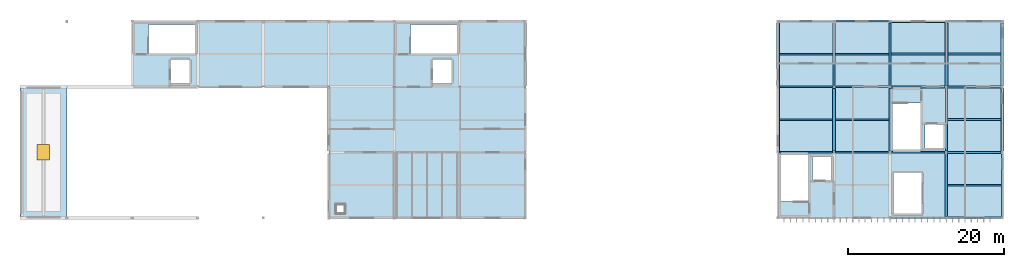
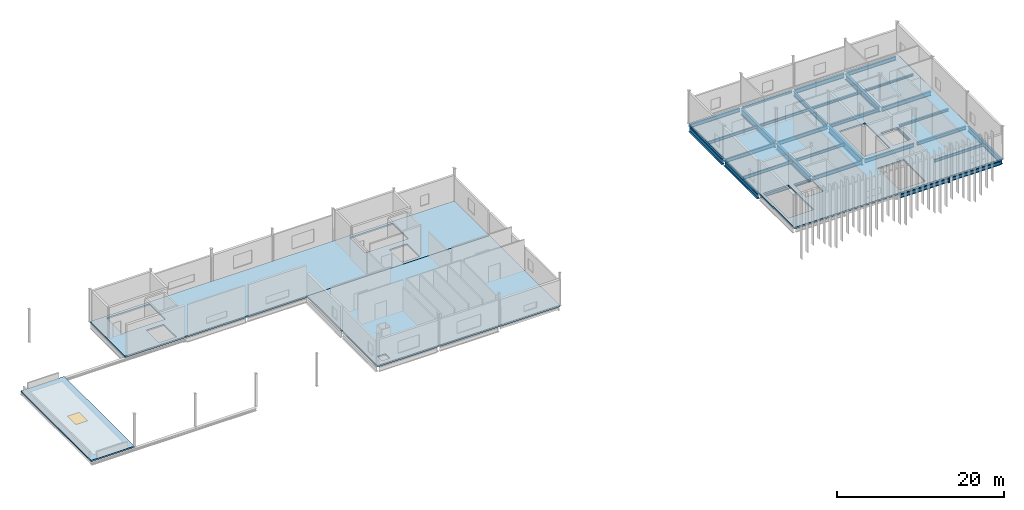
# One storey, part 8 of 27: 34 beams, 4 slabs, 1 window, 1 opening.
"""IFC4 building model written with IfcOpenShell, lengths in metres."""

from ifc_helpers import new_model, si_unit, direction, frame, origin, origin_2d, place, context, subcontext, project, spatial, polyline, rectangle, hollow_rectangle, i_section, outline, extrude, material, layer, layer_set, material_profile, profile_set, type_object, element, fill, save


model = new_model("IFC4")

# Units and contexts
model_context = context("Model", 3, precision=1e-05, world=origin(), true_north=direction((0.0, 1.0)))
body_context = subcontext(model_context, "Body", "Model", "MODEL_VIEW")
ifc_project = project(units=[si_unit("LENGTHUNIT", "METRE"), si_unit("AREAUNIT", "SQUARE_METRE"), si_unit("VOLUMEUNIT", "CUBIC_METRE"), si_unit("PLANEANGLEUNIT", "RADIAN"), si_unit("MASSUNIT", "GRAM", prefix="KILO")], contexts=[model_context])

# Site, building, storey
site_placement = place(None, origin())
site = spatial("IfcSite", under=ifc_project, at=site_placement, CompositionType="ELEMENT")
building_placement = place(site_placement, origin())
building = spatial("IfcBuilding", under=site, at=building_placement, Name="Calvrana Isthmian Art Gallery", CompositionType="ELEMENT")
storey_placement = place(building_placement, frame((0.0, 0.0, 24.60009765625)))
storey = spatial("IfcBuildingStorey", under=building, at=storey_placement, Name="L05", CompositionType="ELEMENT", Elevation=24.60009765625)

# Beams
ifc_material_1 = material(Name="Steel ASTM A992 Gr 50", Category="steel")
ifc_material_profile_1 = material_profile(ifc_material_1, i_section(OverallWidth=0.279052734375, OverallDepth=0.4619140625, WebThickness=0.0107421875, FlangeThickness=0.017333984375, FilletRadius=0.02001953125, at=origin_2d()), Name="W18X76")
ifc_profile_set_1 = profile_set([ifc_material_profile_1], Name="Steel ASTM A992 Gr 50")
beam_type_1 = type_object("IfcBeamType", Name="BM-G-W18X76", PredefinedType="BEAM", material=ifc_profile_set_1)
beam_1_placement = place(storey_placement, frame((134.583984375, 30.0, -0.4560546875), z_axis=(1.0, 0.0, 0.0), x_axis=(0.0, 1.0, 0.0)))
element("IfcBeam", 1, at=beam_1_placement, inside=storey, type_object=beam_type_1, Name="Girder X L05 18-19/E", PredefinedType="BEAM", context=body_context, shape_type="SweptSolid", body=[
    extrude(i_section(OverallWidth=0.279052734375, OverallDepth=0.4619140625, WebThickness=0.0107421875, FlangeThickness=0.017333984375, FilletRadius=0.02001953125, at=origin_2d()), origin(), (0.0, 0.0, 1.0), 6.82958984375),
])
beam_2_placement = place(storey_placement, frame((127.386474609375, 38.39990234375, -0.4560546875), z_axis=(1.0, 0.0, 0.0), x_axis=(0.0, 1.0, 0.0)))
element("IfcBeam", 2, at=beam_2_placement, inside=storey, type_object=beam_type_1, Name="Girder X L05 17-18/F", PredefinedType="BEAM", context=body_context, shape_type="SweptSolid", body=[
    extrude(i_section(OverallWidth=0.279052734375, OverallDepth=0.4619140625, WebThickness=0.0107421875, FlangeThickness=0.017333984375, FilletRadius=0.02001953125, at=origin_2d()), origin(), (0.0, 0.0, 1.0), 6.828125),
])
ifc_material_profile_2 = material_profile(ifc_material_1, i_section(OverallWidth=0.208984375, OverallDepth=0.532958984375, WebThickness=0.01025390625, FlangeThickness=0.015625, FilletRadius=0.02099609375, at=origin_2d()), Name="W21X62")
ifc_profile_set_2 = profile_set([ifc_material_profile_2], Name="Steel ASTM A992 Gr 50")
beam_type_2 = type_object("IfcBeamType", Name="BM-G-W21X62", PredefinedType="BEAM", material=ifc_profile_set_2)
beam_3_placement = place(storey_placement, frame((134.58642578125, 21.60009765625, -0.49169921875), z_axis=(1.0, 0.0, 0.0), x_axis=(0.0, 1.0, 0.0)))
element("IfcBeam", 3, at=beam_3_placement, inside=storey, type_object=beam_type_2, Name="Girder X L05 18-19/D", PredefinedType="BEAM", context=body_context, shape_type="SweptSolid", body=[
    extrude(i_section(OverallWidth=0.208984375, OverallDepth=0.532958984375, WebThickness=0.01025390625, FlangeThickness=0.015625, FilletRadius=0.02099609375, at=origin_2d()), origin(), (0.0, 0.0, 1.0), 6.8271484375),
])
beam_4_placement = place(storey_placement, frame((127.385498046875, 30.0, -0.49169921875), z_axis=(1.0, 0.0, 0.0), x_axis=(0.0, 1.0, 0.0)))
element("IfcBeam", 4, at=beam_4_placement, inside=storey, type_object=beam_type_2, Name="Girder X L05 17-18/E", PredefinedType="BEAM", context=body_context, shape_type="SweptSolid", body=[
    extrude(i_section(OverallWidth=0.208984375, OverallDepth=0.532958984375, WebThickness=0.01025390625, FlangeThickness=0.015625, FilletRadius=0.02099609375, at=origin_2d()), origin(), (0.0, 0.0, 1.0), 6.83056640625),
])
beam_5_placement = place(storey_placement, frame((120.1865234375, 38.39990234375, -0.49169921875), z_axis=(1.0, 0.0, 0.0), x_axis=(0.0, 1.0, 0.0)))
element("IfcBeam", 5, at=beam_5_placement, inside=storey, type_object=beam_type_2, Name="Girder X L05 16-17/F", PredefinedType="BEAM", context=body_context, shape_type="SweptSolid", body=[
    extrude(i_section(OverallWidth=0.208984375, OverallDepth=0.532958984375, WebThickness=0.01025390625, FlangeThickness=0.015625, FilletRadius=0.02099609375, at=origin_2d()), origin(), (0.0, 0.0, 1.0), 6.826904296875),
])
beam_6_placement = place(storey_placement, frame((112.985595703125, 46.800048828125, -0.49169921875), z_axis=(1.0, 0.0, 0.0), x_axis=(0.0, 1.0, 0.0)))
element("IfcBeam", 6, at=beam_6_placement, inside=storey, type_object=beam_type_2, Name="Girder X L05 15-16/G", PredefinedType="BEAM", context=body_context, shape_type="SweptSolid", body=[
    extrude(i_section(OverallWidth=0.208984375, OverallDepth=0.532958984375, WebThickness=0.01025390625, FlangeThickness=0.015625, FilletRadius=0.02099609375, at=origin_2d()), origin(), (0.0, 0.0, 1.0), 6.830322265625),
])
ifc_material_profile_3 = material_profile(ifc_material_1, i_section(OverallWidth=0.214111328125, OverallDepth=0.549072265625, WebThickness=0.0146484375, FlangeThickness=0.023681640625, FilletRadius=0.02099609375, at=origin_2d()), Name="W21X93")
ifc_profile_set_3 = profile_set([ifc_material_profile_3], Name="Steel ASTM A992 Gr 50")
beam_type_3 = type_object("IfcBeamType", Name="BM-G-W21X93", PredefinedType="BEAM", material=ifc_profile_set_3)
beam_7_placement = place(storey_placement, frame((127.384033203125, 21.60009765625, -0.49951171875), z_axis=(1.0, 0.0, 0.0), x_axis=(0.0, 1.0, 0.0)))
element("IfcBeam", 7, at=beam_7_placement, inside=storey, type_object=beam_type_3, Name="Girder X L05 17-18/D", PredefinedType="BEAM", context=body_context, shape_type="SweptSolid", body=[
    extrude(i_section(OverallWidth=0.214111328125, OverallDepth=0.549072265625, WebThickness=0.0146484375, FlangeThickness=0.023681640625, FilletRadius=0.02099609375, at=origin_2d()), origin(), (0.0, 0.0, 1.0), 6.829345703125),
])
beam_8_placement = place(storey_placement, frame((120.1865234375, 30.0, -0.49951171875), z_axis=(1.0, 0.0, 0.0), x_axis=(0.0, 1.0, 0.0)))
element("IfcBeam", 8, at=beam_8_placement, inside=storey, type_object=beam_type_3, Name="Girder X L05 16-17/E", PredefinedType="BEAM", context=body_context, shape_type="SweptSolid", body=[
    extrude(i_section(OverallWidth=0.214111328125, OverallDepth=0.549072265625, WebThickness=0.0146484375, FlangeThickness=0.023681640625, FilletRadius=0.02099609375, at=origin_2d()), origin(), (0.0, 0.0, 1.0), 6.827880859375),
])
beam_9_placement = place(storey_placement, frame((112.98388671875, 38.39990234375, -0.49951171875), z_axis=(1.0, 0.0, 0.0), x_axis=(0.0, 1.0, 0.0)))
element("IfcBeam", 9, at=beam_9_placement, inside=storey, type_object=beam_type_3, Name="Girder X L05 15-16/F", PredefinedType="BEAM", context=body_context, shape_type="SweptSolid", body=[
    extrude(i_section(OverallWidth=0.214111328125, OverallDepth=0.549072265625, WebThickness=0.0146484375, FlangeThickness=0.023681640625, FilletRadius=0.02099609375, at=origin_2d()), origin(), (0.0, 0.0, 1.0), 6.82958984375),
])
beam_10_placement = place(storey_placement, frame((134.58642578125, 46.800048828125, -0.49951171875), z_axis=(1.0, 0.0, 0.0), x_axis=(0.0, 1.0, 0.0)))
element("IfcBeam", 10, at=beam_10_placement, inside=storey, type_object=beam_type_3, Name="Girder X L05 18-19/G", PredefinedType="BEAM", context=body_context, shape_type="SweptSolid", body=[
    extrude(i_section(OverallWidth=0.214111328125, OverallDepth=0.549072265625, WebThickness=0.0146484375, FlangeThickness=0.023681640625, FilletRadius=0.02099609375, at=origin_2d()), origin(), (0.0, 0.0, 1.0), 6.828125),
])
ifc_material_profile_4 = material_profile(ifc_material_1, i_section(OverallWidth=0.22802734375, OverallDepth=0.60693359375, WebThickness=0.01123046875, FlangeThickness=0.017333984375, FilletRadius=0.02197265625, at=origin_2d()), Name="W24X76")
ifc_profile_set_4 = profile_set([ifc_material_profile_4], Name="Steel ASTM A992 Gr 50")
beam_type_4 = type_object("IfcBeamType", Name="BM-G-W24X76", PredefinedType="BEAM", material=ifc_profile_set_4)
beam_11_placement = place(storey_placement, frame((112.986572265625, 30.0, -0.528564453125), z_axis=(1.0, 0.0, 0.0), x_axis=(0.0, 1.0, 0.0)))
element("IfcBeam", 11, at=beam_11_placement, inside=storey, type_object=beam_type_4, Name="Girder X L05 15-16/E", PredefinedType="BEAM", context=body_context, shape_type="SweptSolid", body=[
    extrude(i_section(OverallWidth=0.22802734375, OverallDepth=0.60693359375, WebThickness=0.01123046875, FlangeThickness=0.017333984375, FilletRadius=0.02197265625, at=origin_2d()), origin(), (0.0, 0.0, 1.0), 6.826904296875),
])
beam_12_placement = place(storey_placement, frame((134.58544921875, 38.39990234375, -0.528564453125), z_axis=(1.0, 0.0, 0.0), x_axis=(0.0, 1.0, 0.0)))
element("IfcBeam", 12, at=beam_12_placement, inside=storey, type_object=beam_type_4, Name="Girder X L05 18-19/F", PredefinedType="BEAM", context=body_context, shape_type="SweptSolid", body=[
    extrude(i_section(OverallWidth=0.22802734375, OverallDepth=0.60693359375, WebThickness=0.01123046875, FlangeThickness=0.017333984375, FilletRadius=0.02197265625, at=origin_2d()), origin(), (0.0, 0.0, 1.0), 6.83056640625),
])
beam_13_placement = place(storey_placement, frame((127.386474609375, 46.800048828125, -0.528564453125), z_axis=(1.0, 0.0, 0.0), x_axis=(0.0, 1.0, 0.0)))
element("IfcBeam", 13, at=beam_13_placement, inside=storey, type_object=beam_type_4, Name="Girder X L05 17-18/G", PredefinedType="BEAM", context=body_context, shape_type="SweptSolid", body=[
    extrude(i_section(OverallWidth=0.22802734375, OverallDepth=0.60693359375, WebThickness=0.01123046875, FlangeThickness=0.017333984375, FilletRadius=0.02197265625, at=origin_2d()), origin(), (0.0, 0.0, 1.0), 6.826904296875),
])
ifc_material_profile_5 = material_profile(ifc_material_1, i_section(OverallWidth=0.257080078125, OverallDepth=0.693115234375, WebThickness=0.014404296875, FlangeThickness=0.023681640625, FilletRadius=0.02392578125, at=origin_2d()), Name="W27X114")
ifc_profile_set_5 = profile_set([ifc_material_profile_5], Name="Steel ASTM A992 Gr 50")
beam_type_5 = type_object("IfcBeamType", Name="BM-G-W27X114", PredefinedType="BEAM", material=ifc_profile_set_5)
beam_14_placement = place(storey_placement, frame((127.199951171875, 38.583984375, -0.571533203125), z_axis=(0.0, 1.0, 0.0), x_axis=(-1.0, 0.0, 0.0)))
element("IfcBeam", 14, at=beam_14_placement, inside=storey, type_object=beam_type_5, Name="Girder Y L05 17/F-G", PredefinedType="BEAM", context=body_context, shape_type="SweptSolid", body=[
    extrude(i_section(OverallWidth=0.257080078125, OverallDepth=0.693115234375, WebThickness=0.014404296875, FlangeThickness=0.023681640625, FilletRadius=0.02392578125, at=origin_2d()), origin(), (0.0, 0.0, 1.0), 8.029541015625),
])
beam_15_placement = place(storey_placement, frame((134.39990234375, 30.177978515625, -0.571533203125), z_axis=(0.0, 1.0, 0.0), x_axis=(-1.0, 0.0, 0.0)))
element("IfcBeam", 15, at=beam_15_placement, inside=storey, type_object=beam_type_5, Name="Girder Y L05 18/E-F", PredefinedType="BEAM", context=body_context, shape_type="SweptSolid", body=[
    extrude(i_section(OverallWidth=0.257080078125, OverallDepth=0.693115234375, WebThickness=0.014404296875, FlangeThickness=0.023681640625, FilletRadius=0.02392578125, at=origin_2d()), origin(), (0.0, 0.0, 1.0), 8.04052734375),
])
beam_16_placement = place(storey_placement, frame((141.60009765625, 21.783935546875, -0.571533203125), z_axis=(0.0, 1.0, 0.0), x_axis=(-1.0, 0.0, 0.0)))
element("IfcBeam", 16, at=beam_16_placement, inside=storey, type_object=beam_type_5, Name="Girder Y L05 19/D-E", PredefinedType="BEAM", context=body_context, shape_type="SweptSolid", body=[
    extrude(i_section(OverallWidth=0.257080078125, OverallDepth=0.693115234375, WebThickness=0.014404296875, FlangeThickness=0.023681640625, FilletRadius=0.02392578125, at=origin_2d()), origin(), (0.0, 0.0, 1.0), 8.029541015625),
])
ifc_material_profile_6 = material_profile(ifc_material_1, i_section(OverallWidth=0.381103515625, OverallDepth=0.77197265625, WebThickness=0.0166015625, FlangeThickness=0.027099609375, FilletRadius=0.02490234375, at=origin_2d()), Name="W30X173")
ifc_profile_set_6 = profile_set([ifc_material_profile_6], Name="Steel ASTM A992 Gr 50")
beam_type_6 = type_object("IfcBeamType", Name="BM-G-W30X173", PredefinedType="BEAM", material=ifc_profile_set_6)
beam_17_placement = place(storey_placement, frame((112.800048828125, 30.1865234375, -0.611083984375), z_axis=(0.0, 1.0, 0.0), x_axis=(-1.0, 0.0, 0.0)))
element("IfcBeam", 17, at=beam_17_placement, inside=storey, type_object=beam_type_6, Name="Girder Y L05 15/E-F", PredefinedType="BEAM", context=body_context, shape_type="SweptSolid", body=[
    extrude(i_section(OverallWidth=0.381103515625, OverallDepth=0.77197265625, WebThickness=0.0166015625, FlangeThickness=0.027099609375, FilletRadius=0.02490234375, at=origin_2d()), origin(), (0.0, 0.0, 1.0), 8.035400390625),
])
beam_18_placement = place(storey_placement, frame((134.39990234375, 38.58154296875, -0.611083984375), z_axis=(0.0, 1.0, 0.0), x_axis=(-1.0, 0.0, 0.0)))
element("IfcBeam", 18, at=beam_18_placement, inside=storey, type_object=beam_type_6, Name="Girder Y L05 18/F-G", PredefinedType="BEAM", context=body_context, shape_type="SweptSolid", body=[
    extrude(i_section(OverallWidth=0.381103515625, OverallDepth=0.77197265625, WebThickness=0.0166015625, FlangeThickness=0.027099609375, FilletRadius=0.02490234375, at=origin_2d()), origin(), (0.0, 0.0, 1.0), 8.034423828125),
])
beam_19_placement = place(storey_placement, frame((141.60009765625, 30.1865234375, -0.611083984375), z_axis=(0.0, 1.0, 0.0), x_axis=(-1.0, 0.0, 0.0)))
element("IfcBeam", 19, at=beam_19_placement, inside=storey, type_object=beam_type_6, Name="Girder Y L05 19/E-F", PredefinedType="BEAM", context=body_context, shape_type="SweptSolid", body=[
    extrude(i_section(OverallWidth=0.381103515625, OverallDepth=0.77197265625, WebThickness=0.0166015625, FlangeThickness=0.027099609375, FilletRadius=0.02490234375, at=origin_2d()), origin(), (0.0, 0.0, 1.0), 8.035400390625),
])
ifc_material_profile_7 = material_profile(ifc_material_1, i_section(OverallWidth=0.40087890625, OverallDepth=0.85595703125, WebThickness=0.018310546875, FlangeThickness=0.029296875, FilletRadius=0.02587890625, at=origin_2d()), Name="W33X201")
ifc_profile_set_7 = profile_set([ifc_material_profile_7], Name="Steel ASTM A992 Gr 50")
beam_type_7 = type_object("IfcBeamType", Name="BM-G-W33X201", PredefinedType="BEAM", material=ifc_profile_set_7)
beam_20_placement = place(storey_placement, frame((112.800048828125, 38.577880859375, -0.653076171875), z_axis=(0.0, 1.0, 0.0), x_axis=(-1.0, 0.0, 0.0)))
element("IfcBeam", 20, at=beam_20_placement, inside=storey, type_object=beam_type_7, Name="Girder Y L05 15/F-G", PredefinedType="BEAM", context=body_context, shape_type="SweptSolid", body=[
    extrude(i_section(OverallWidth=0.40087890625, OverallDepth=0.85595703125, WebThickness=0.018310546875, FlangeThickness=0.029296875, FilletRadius=0.02587890625, at=origin_2d()), origin(), (0.0, 0.0, 1.0), 8.04052734375),
])
beam_21_placement = place(storey_placement, frame((120.0, 30.18408203125, -0.653076171875), z_axis=(0.0, 1.0, 0.0), x_axis=(-1.0, 0.0, 0.0)))
element("IfcBeam", 21, at=beam_21_placement, inside=storey, type_object=beam_type_7, Name="Girder Y L05 16/E-F", PredefinedType="BEAM", context=body_context, shape_type="SweptSolid", body=[
    extrude(i_section(OverallWidth=0.40087890625, OverallDepth=0.85595703125, WebThickness=0.018310546875, FlangeThickness=0.029296875, FilletRadius=0.02587890625, at=origin_2d()), origin(), (0.0, 0.0, 1.0), 8.029296875),
])
beam_22_placement = place(storey_placement, frame((141.60009765625, 38.577880859375, -0.653076171875), z_axis=(0.0, 1.0, 0.0), x_axis=(-1.0, 0.0, 0.0)))
element("IfcBeam", 22, at=beam_22_placement, inside=storey, type_object=beam_type_7, Name="Girder Y L05 19/F-G", PredefinedType="BEAM", context=body_context, shape_type="SweptSolid", body=[
    extrude(i_section(OverallWidth=0.40087890625, OverallDepth=0.85595703125, WebThickness=0.018310546875, FlangeThickness=0.029296875, FilletRadius=0.02587890625, at=origin_2d()), origin(), (0.0, 0.0, 1.0), 8.04052734375),
])
ifc_material_profile_8 = material_profile(ifc_material_1, i_section(OverallWidth=0.306884765625, OverallDepth=0.927001953125, WebThickness=0.019287109375, FlangeThickness=0.031982421875, FilletRadius=0.028076171875, at=origin_2d()), Name="W36X194")
ifc_profile_set_8 = profile_set([ifc_material_profile_8], Name="Steel ASTM A992 Gr 50")
beam_type_8 = type_object("IfcBeamType", Name="BM-G-W36X194", PredefinedType="BEAM", material=ifc_profile_set_8)
beam_23_placement = place(storey_placement, frame((120.0, 38.58642578125, -0.6884765625), z_axis=(0.0, 1.0, 0.0), x_axis=(-1.0, 0.0, 0.0)))
element("IfcBeam", 23, at=beam_23_placement, inside=storey, type_object=beam_type_8, Name="Girder Y L05 16/F-G", PredefinedType="BEAM", context=body_context, shape_type="SweptSolid", body=[
    extrude(i_section(OverallWidth=0.306884765625, OverallDepth=0.927001953125, WebThickness=0.019287109375, FlangeThickness=0.031982421875, FilletRadius=0.028076171875, at=origin_2d()), origin(), (0.0, 0.0, 1.0), 8.03564453125),
])
beam_24_placement = place(storey_placement, frame((127.199951171875, 30.181396484375, -0.6884765625), z_axis=(0.0, 1.0, 0.0), x_axis=(-1.0, 0.0, 0.0)))
element("IfcBeam", 24, at=beam_24_placement, inside=storey, type_object=beam_type_8, Name="Girder Y L05 17/E-F", PredefinedType="BEAM", context=body_context, shape_type="SweptSolid", body=[
    extrude(i_section(OverallWidth=0.306884765625, OverallDepth=0.927001953125, WebThickness=0.019287109375, FlangeThickness=0.031982421875, FilletRadius=0.028076171875, at=origin_2d()), origin(), (0.0, 0.0, 1.0), 8.03466796875),
])
beam_25_placement = place(storey_placement, frame((134.39990234375, 21.78662109375, -0.6884765625), z_axis=(0.0, 1.0, 0.0), x_axis=(-1.0, 0.0, 0.0)))
element("IfcBeam", 25, at=beam_25_placement, inside=storey, type_object=beam_type_8, Name="Girder Y L05 18/D-E", PredefinedType="BEAM", context=body_context, shape_type="SweptSolid", body=[
    extrude(i_section(OverallWidth=0.306884765625, OverallDepth=0.927001953125, WebThickness=0.019287109375, FlangeThickness=0.031982421875, FilletRadius=0.028076171875, at=origin_2d()), origin(), (0.0, 0.0, 1.0), 8.035400390625),
])
ifc_material_profile_9 = material_profile(ifc_material_1, i_section(OverallWidth=0.25390625, OverallDepth=0.306884765625, WebThickness=0.0087890625, FlangeThickness=0.0146484375, FilletRadius=0.01611328125, at=origin_2d()), Name="W12X53")
ifc_profile_set_9 = profile_set([ifc_material_profile_9], Name="Steel ASTM A992 Gr 50")
beam_type_9 = type_object("IfcBeamType", Name="BM-J-W12X53", PredefinedType="JOIST", material=ifc_profile_set_9)
beam_26_placement = place(storey_placement, frame((134.590576171875, 42.60009765625, -0.378662109375), z_axis=(1.0, 0.0, 0.0), x_axis=(0.0, 1.0, 0.0)))
element("IfcBeam", 26, at=beam_26_placement, inside=storey, type_object=beam_type_9, Name="Composite joist L05 bay 17-05", PredefinedType="JOIST", context=body_context, shape_type="SweptSolid", body=[
    extrude(i_section(OverallWidth=0.25390625, OverallDepth=0.306884765625, WebThickness=0.0087890625, FlangeThickness=0.0146484375, FilletRadius=0.01611328125, at=origin_2d()), origin(), (0.0, 0.0, 1.0), 6.808837890625),
])
ifc_material_profile_10 = material_profile(ifc_material_1, i_section(OverallWidth=0.25390625, OverallDepth=0.35302734375, WebThickness=0.009521484375, FlangeThickness=0.016357421875, FilletRadius=0.01806640625, at=origin_2d()), Name="W14X61")
ifc_profile_set_10 = profile_set([ifc_material_profile_10], Name="Steel ASTM A992 Gr 50")
beam_type_10 = type_object("IfcBeamType", Name="BM-J-W14X61", PredefinedType="JOIST", material=ifc_profile_set_10)
for number, where, z_axis, x_axis, name in (
    (27, (127.32861328125, 42.60009765625, -0.401611328125), (1.0, 0.0, 0.0), (0.0, 1.0, 0.0), "Composite joist L05 bay 16-05"),
    (28, (134.528564453125, 34.199951171875, -0.401611328125), (1.0, 0.0, 0.0), (0.0, 1.0, 0.0), "Composite joist L05 bay 17-04"),
):
    element("IfcBeam", number, at=place(storey_placement, frame(where, z_axis=z_axis, x_axis=x_axis)), inside=storey, type_object=beam_type_10, Name=name, PredefinedType="JOIST", context=body_context, shape_type="SweptSolid", body=[
        extrude(i_section(OverallWidth=0.25390625, OverallDepth=0.35302734375, WebThickness=0.009521484375, FlangeThickness=0.016357421875, FilletRadius=0.01806640625, at=origin_2d()), origin(), (0.0, 0.0, 1.0), 6.880859375),
    ])
ifc_material_profile_11 = material_profile(ifc_material_1, i_section(OverallWidth=0.177978515625, OverallDepth=0.404052734375, WebThickness=0.007568359375, FlangeThickness=0.010986328125, FilletRadius=0.01806640625, at=origin_2d()), Name="W16X36")
ifc_profile_set_11 = profile_set([ifc_material_profile_11], Name="Steel ASTM A992 Gr 50")
beam_type_11 = type_object("IfcBeamType", Name="BM-J-W16X36", PredefinedType="JOIST", material=ifc_profile_set_11)
for number, where, z_axis, x_axis, name in (
    (29, (120.153564453125, 42.60009765625, -0.427001953125), (1.0, 0.0, 0.0), (0.0, 1.0, 0.0), "Composite joist L05 bay 15-05"),
    (30, (134.553466796875, 25.800048828125, -0.427001953125), (1.0, 0.0, 0.0), (0.0, 1.0, 0.0), "Composite joist L05 bay 17-03"),
):
    element("IfcBeam", number, at=place(storey_placement, frame(where, z_axis=z_axis, x_axis=x_axis)), inside=storey, type_object=beam_type_11, Name=name, PredefinedType="JOIST", context=body_context, shape_type="SweptSolid", body=[
        extrude(i_section(OverallWidth=0.177978515625, OverallDepth=0.404052734375, WebThickness=0.007568359375, FlangeThickness=0.010986328125, FilletRadius=0.01806640625, at=origin_2d()), origin(), (0.0, 0.0, 1.0), 6.91796875),
    ])
ifc_material_profile_12 = material_profile(ifc_material_1, i_section(OverallWidth=0.179931640625, OverallDepth=0.4140625, WebThickness=0.009765625, FlangeThickness=0.01611328125, FilletRadius=0.01806640625, at=origin_2d()), Name="W16X50")
ifc_profile_set_12 = profile_set([ifc_material_profile_12], Name="Steel ASTM A992 Gr 50")
beam_type_12 = type_object("IfcBeamType", Name="BM-J-W16X50", PredefinedType="JOIST", material=ifc_profile_set_12)
for number, where, z_axis, x_axis, name in (
    (31, (113.00048828125, 42.60009765625, -0.43212890625), (1.0, 0.0, 0.0), (0.0, 1.0, 0.0), "Composite joist L05 bay 14-05"),
    (32, (120.200439453125, 34.199951171875, -0.43212890625), (1.0, 0.0, 0.0), (0.0, 1.0, 0.0), "Composite joist L05 bay 15-04"),
):
    element("IfcBeam", number, at=place(storey_placement, frame(where, z_axis=z_axis, x_axis=x_axis)), inside=storey, type_object=beam_type_12, Name=name, PredefinedType="JOIST", context=body_context, shape_type="SweptSolid", body=[
        extrude(i_section(OverallWidth=0.179931640625, OverallDepth=0.4140625, WebThickness=0.009765625, FlangeThickness=0.01611328125, FilletRadius=0.01806640625, at=origin_2d()), origin(), (0.0, 0.0, 1.0), 6.845947265625),
    ])
ifc_material_profile_13 = material_profile(ifc_material_1, i_section(OverallWidth=0.19091796875, OverallDepth=0.45703125, WebThickness=0.009033203125, FlangeThickness=0.014404296875, FilletRadius=0.02001953125, at=origin_2d()), Name="W18X50")
ifc_profile_set_13 = profile_set([ifc_material_profile_13], Name="Steel ASTM A992 Gr 50")
beam_type_13 = type_object("IfcBeamType", Name="BM-J-W18X50", PredefinedType="JOIST", material=ifc_profile_set_13)
beam_27_placement = place(storey_placement, frame((112.990478515625, 34.199951171875, -0.45361328125), z_axis=(1.0, 0.0, 0.0), x_axis=(0.0, 1.0, 0.0)))
element("IfcBeam", 33, at=beam_27_placement, inside=storey, type_object=beam_type_13, Name="Composite joist L05 bay 14-04", PredefinedType="JOIST", context=body_context, shape_type="SweptSolid", body=[
    extrude(i_section(OverallWidth=0.19091796875, OverallDepth=0.45703125, WebThickness=0.009033203125, FlangeThickness=0.014404296875, FilletRadius=0.02001953125, at=origin_2d()), origin(), (0.0, 0.0, 1.0), 6.80908203125),
])
ifc_material_2 = material(Name="Steel ASTM A500 Gr C", Category="steel")
ifc_material_profile_14 = material_profile(ifc_material_2, hollow_rectangle(XDim=0.203125, YDim=0.3046875, WallThickness=0.0126953125, OuterFilletRadius=0.02490234375, at=origin_2d()), Name="HSS305X203X12.7")
ifc_profile_set_14 = profile_set([ifc_material_profile_14], Name="Steel ASTM A500 Gr C")
beam_type_14 = type_object("IfcBeamType", Name="BM-SP-HSS305", PredefinedType="SPANDREL", material=ifc_profile_set_14)
beam_28_placement = place(storey_placement, frame((120.18408203125, 46.800048828125, -0.37744140625), z_axis=(1.0, 0.0, 0.0), x_axis=(0.0, 1.0, 0.0)))
element("IfcBeam", 34, at=beam_28_placement, inside=storey, type_object=beam_type_14, Name="Girder X L05 16-17/G", PredefinedType="SPANDREL", context=body_context, shape_type="SweptSolid", body=[
    extrude(hollow_rectangle(XDim=0.203125, YDim=0.3046875, WallThickness=0.0126953125, OuterFilletRadius=0.02490234375, at=origin_2d()), origin(), (0.0, 0.0, 1.0), 6.829345703125),
])

# Slabs
ifc_material_3 = material(Name="Concrete C40/50", Category="concrete")
ifc_layer_1 = layer(ifc_material_3, 0.219970703125, Name="Concrete C40/50")
ifc_layer_set_1 = layer_set([ifc_layer_1], Name="Concrete C40/50")
slab_type_1 = type_object("IfcSlabType", Name="SLB-LOFT-220", PredefinedType="FLOOR", material=ifc_layer_set_1)
slab_1_placement = place(storey_placement, frame((0.0, 0.0, -0.22021484375)))
element("IfcSlab", 35, at=slab_1_placement, inside=storey, type_object=slab_type_1, Name="Floor slab V1N_L05", PredefinedType="FLOOR", context=body_context, shape_type="SweptSolid", body=[
    extrude(outline(polyline([(30.0, 38.39990234375), (80.39990234375, 38.39990234375), (80.39990234375, 46.800048828125), (30.0, 46.800048828125), (30.0, 38.39990234375)]), holes=[polyline([(32.10009765625, 42.7099609375), (38.06005859375, 42.7099609375), (38.06005859375, 46.429931640625), (32.10009765625, 46.429931640625), (32.10009765625, 42.7099609375)]), polyline([(34.949951171875, 38.85009765625), (37.35009765625, 38.85009765625), (37.35009765625, 41.85009765625), (34.949951171875, 41.85009765625), (34.949951171875, 38.85009765625)]), polyline([(65.699951171875, 42.7099609375), (71.659912109375, 42.7099609375), (71.659912109375, 46.429931640625), (65.699951171875, 46.429931640625), (65.699951171875, 42.7099609375)]), polyline([(68.550048828125, 38.85009765625), (70.949951171875, 38.85009765625), (70.949951171875, 41.85009765625), (68.550048828125, 41.85009765625), (68.550048828125, 38.85009765625)])]), origin(), (0.0, 0.0, 1.0), 0.22021484375),
])
slab_2_placement = place(storey_placement, frame((0.0, 0.0, -0.22021484375)))
element("IfcSlab", 36, at=slab_2_placement, inside=storey, type_object=slab_type_1, Name="Floor slab V1E_L05", PredefinedType="FLOOR", context=body_context, shape_type="SweptSolid", body=[
    extrude(outline(polyline([(55.199951171875, 21.60009765625), (80.39990234375, 21.60009765625), (80.39990234375, 38.39990234375), (55.199951171875, 38.39990234375), (55.199951171875, 21.60009765625)]), holes=[polyline([(56.159912109375, 22.199951171875), (57.239990234375, 22.199951171875), (57.239990234375, 23.280029296875), (56.159912109375, 23.280029296875), (56.159912109375, 22.199951171875)])]), origin(), (0.0, 0.0, 1.0), 0.22021484375),
])
slab_3_placement = place(storey_placement, frame((0.0, 0.0, -0.22021484375)))
element("IfcSlab", 37, at=slab_3_placement, inside=storey, type_object=slab_type_1, Name="Floor slab V4_L05", PredefinedType="FLOOR", context=body_context, shape_type="SweptSolid", body=[
    extrude(outline(polyline([(112.800048828125, 21.60009765625), (141.60009765625, 21.60009765625), (141.60009765625, 46.800048828125), (112.800048828125, 46.800048828125), (112.800048828125, 21.60009765625)]), holes=[polyline([(116.68994140625, 23.699951171875), (116.68994140625, 29.659912109375), (113.169921875, 29.659912109375), (113.169921875, 23.699951171875), (116.68994140625, 23.699951171875)]), polyline([(117.25, 26.449951171875), (119.64990234375, 26.449951171875), (119.64990234375, 29.449951171875), (117.25, 29.449951171875), (117.25, 26.449951171875)]), polyline([(127.550048828125, 36.300048828125), (127.550048828125, 30.340087890625), (131.070068359375, 30.340087890625), (131.070068359375, 36.300048828125), (127.550048828125, 36.300048828125)]), polyline([(131.64990234375, 30.550048828125), (134.050048828125, 30.550048828125), (134.050048828125, 33.550048828125), (131.64990234375, 33.550048828125), (131.64990234375, 30.550048828125)]), polyline([(127.64990234375, 22.14990234375), (131.25, 22.14990234375), (131.25, 27.35009765625), (127.64990234375, 27.35009765625), (127.64990234375, 22.14990234375)])]), origin(), (0.0, 0.0, 1.0), 0.22021484375),
])

# Slab, opening, window
ifc_layer_2 = layer(ifc_material_3, 0.199951171875, Name="Concrete C40/50")
ifc_layer_set_2 = layer_set([ifc_layer_2], Name="Concrete C40/50")
slab_type_2 = type_object("IfcSlabType", Name="SLB-ROOF-200", PredefinedType="ROOF", material=ifc_layer_set_2)
slab_4_placement = place(storey_placement, frame((0.0, 0.0, -0.2001953125)))
slab_4 = element("IfcSlab", 38, at=slab_4_placement, inside=storey, type_object=slab_type_2, Name="Flat roof slab ROOF_LOOKOUT_L05", PredefinedType="ROOF", context=body_context, shape_type="SweptSolid", body=[
    extrude(outline(polyline([(15.60009765625, 21.60009765625), (21.60009765625, 21.60009765625), (21.60009765625, 38.39990234375), (15.60009765625, 38.39990234375), (15.60009765625, 21.60009765625)])), origin(), (0.0, 0.0, 1.0), 0.2001953125),
])
opening_placement = place(slab_4_placement, frame((18.60009765625, 30.0, -0.01025390625)))
opening = element("IfcOpeningElement", 39, at=opening_placement, cuts=slab_4, Name="Opening SK-17", PredefinedType="OPENING", context=body_context, shape_type="SweptSolid", body=[
    extrude(rectangle(XDim=1.60009765625, YDim=2.0, at=origin_2d()), origin(), (0.0, 0.0, 1.0), 0.220703125),
])
ifc_material_4 = material(Name="Diffusing skylight glass", Category="glass")
window_type = type_object("IfcWindowType", Name="SKY-MON-160X200", PartitioningType="SINGLE_PANEL", PredefinedType="SKYLIGHT", material=ifc_material_4)
window_placement = place(slab_4_placement, frame((18.60009765625, 30.0, 0.14013671875)))
window = element("IfcWindow", 40, at=window_placement, inside=storey, type_object=window_type, Name="Roof skylight / access hatch SK-17", OverallHeight=2.0, OverallWidth=1.60009765625, PartitioningType="SINGLE_PANEL", PredefinedType="SKYLIGHT", context=body_context, shape_type="SweptSolid", body=[
    extrude(rectangle(XDim=1.60009765625, YDim=2.0, at=origin_2d()), origin(), (0.0, 0.0, 1.0), 0.06005859375),
])
fill(opening, window)

save(model, "model.ifc")
